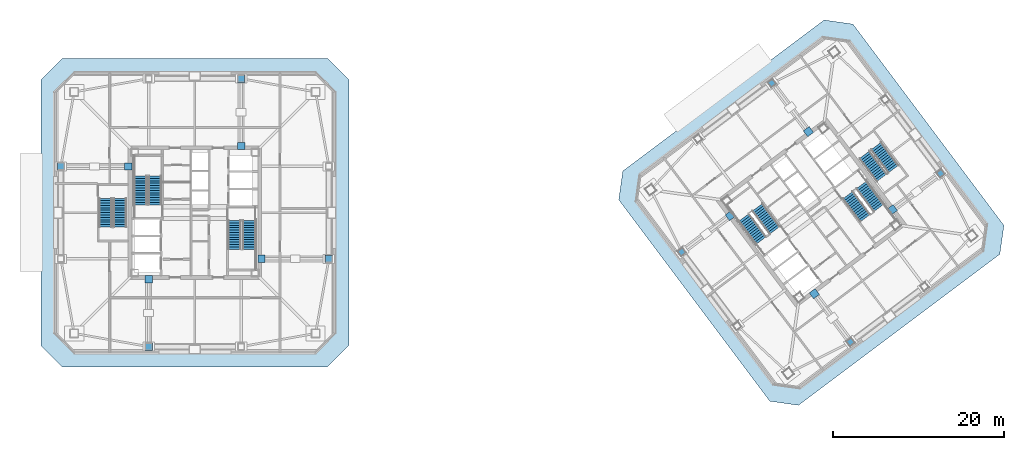
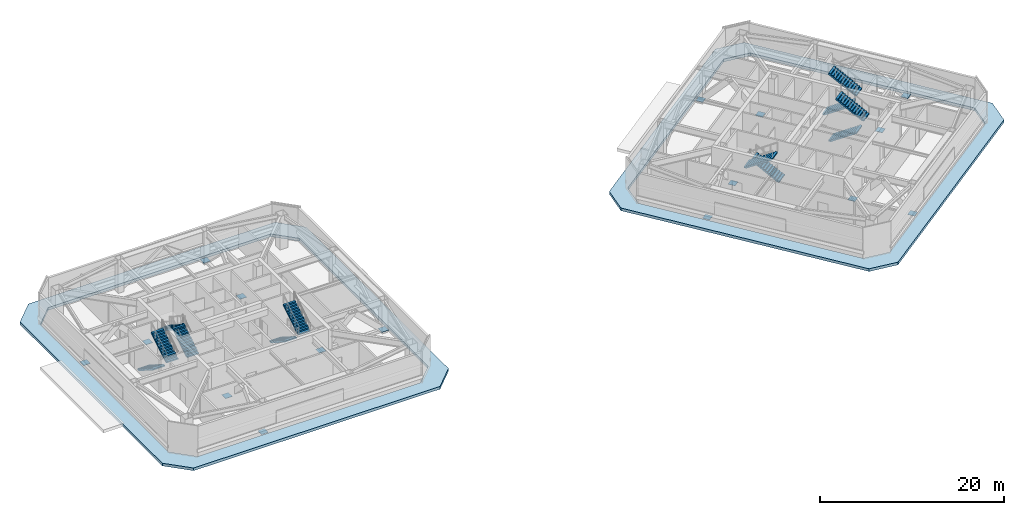
# One storey, part 9 of 15: 16 discrete accessories, 12 stair flights, 2 roofs, 6 elements without a shape of their own.
"""IFC4 building model written with IfcOpenShell, lengths in metres."""

from ifc_helpers import new_model, si_unit, direction, frame, origin, origin_2d, place, context, subcontext, project, spatial, polyline, rectangle, outline, extrude, material, layer, layer_set, type_object, element, aggregate, save


model = new_model("IFC4")

# Units and contexts
model_context = context("Model", 3, precision=1e-05, world=origin(), true_north=direction((0.0, 1.0)))
body_context = subcontext(model_context, "Body", "Model", "MODEL_VIEW")
ifc_project = project(units=[si_unit("LENGTHUNIT", "METRE"), si_unit("AREAUNIT", "SQUARE_METRE"), si_unit("VOLUMEUNIT", "CUBIC_METRE"), si_unit("PLANEANGLEUNIT", "RADIAN"), si_unit("MASSUNIT", "GRAM", prefix="KILO")], contexts=[model_context])

# Site, building, storey
site_placement = place(None, origin())
site = spatial("IfcSite", under=ifc_project, at=site_placement, CompositionType="ELEMENT")
building_placement = place(site_placement, origin())
building = spatial("IfcBuilding", under=site, at=building_placement, Name="Tashvorn Skyway Center", CompositionType="ELEMENT")
storey_placement = place(building_placement, frame((0.0, 0.0, 199.60009765625)))
storey = spatial("IfcBuildingStorey", under=building, at=storey_placement, Name="L54", CompositionType="ELEMENT", Elevation=199.60009765625)

# Stair, stair flights
ifc_material_1 = material(Name="Concrete C40/50", Category="concrete")
stair_type = type_object("IfcStairType", Name="STAIR-CORE-1500", PredefinedType="HALF_TURN_STAIR", material=ifc_material_1)
stair_1_placement = place(storey_placement, origin())
stair_1 = element("IfcStair", 1, at=stair_1_placement, inside=storey, type_object=stair_type, Name="L54 Tower 1 Exit Stair 1", PredefinedType="HALF_TURN_STAIR")
stair_flight_type = type_object("IfcStairFlightType", Name="SFLIGHT-1500", PredefinedType="STRAIGHT", material=ifc_material_1)
stair_flight_1_placement = place(storey_placement, frame((37.35009765625, 32.919921875, 0.0), z_axis=(0.0, 0.0, 1.0), x_axis=(0.0, 1.0, 0.0)))
stair_flight_1 = element("IfcStairFlight", 2, at=stair_flight_1_placement, type_object=stair_flight_type, Name="ST-T1-1 flight 1", NumberOfRisers=13, NumberOfTreads=12, PredefinedType="STRAIGHT", RiserHeight=0.176923077, TreadLength=0.28, context=body_context, shape_type="SweptSolid", body=[
    extrude(outline(polyline([(0.0, 0.0), (0.0, 0.177001953125), (0.280029296875, 0.177001953125), (0.280029296875, 0.353759765625), (0.56005859375, 0.353759765625), (0.56005859375, 0.53076171875), (0.840087890625, 0.53076171875), (0.840087890625, 0.707763671875), (1.1201171875, 0.707763671875), (1.1201171875, 0.884521484375), (1.39990234375, 0.884521484375), (1.39990234375, 1.0615234375), (1.679931640625, 1.0615234375), (1.679931640625, 1.238525390625), (1.9599609375, 1.238525390625), (1.9599609375, 1.415283203125), (2.239990234375, 1.415283203125), (2.239990234375, 1.59228515625), (2.52001953125, 1.59228515625), (2.52001953125, 1.769287109375), (2.800048828125, 1.769287109375), (2.800048828125, 1.946044921875), (3.080078125, 1.946044921875), (3.080078125, 2.123046875), (3.360107421875, 2.123046875), (3.360107421875, 2.300048828125), (3.360107421875, 1.94580078125), (0.280517578125, 0.0), (0.0, 0.0)])), frame((0.0, 0.75, 0.0), z_axis=(0.0, -1.0, 0.0), x_axis=(1.0, 0.0, 0.0)), (0.0, 0.0, 1.0), 1.5),
])
stair_flight_2_placement = place(storey_placement, frame((35.64990234375, 36.280029296875, 2.2998046875), z_axis=(0.0, 0.0, 1.0), x_axis=(0.0, -1.0, 0.0)))
stair_flight_2 = element("IfcStairFlight", 3, at=stair_flight_2_placement, type_object=stair_flight_type, Name="ST-T1-1 flight 2", NumberOfRisers=13, NumberOfTreads=12, PredefinedType="STRAIGHT", RiserHeight=0.176923077, TreadLength=0.28, context=body_context, shape_type="SweptSolid", body=[
    extrude(outline(polyline([(0.0, 0.0), (0.0, 0.177001953125), (0.280029296875, 0.177001953125), (0.280029296875, 0.353759765625), (0.56005859375, 0.353759765625), (0.56005859375, 0.53076171875), (0.840087890625, 0.53076171875), (0.840087890625, 0.707763671875), (1.1201171875, 0.707763671875), (1.1201171875, 0.884521484375), (1.39990234375, 0.884521484375), (1.39990234375, 1.0615234375), (1.679931640625, 1.0615234375), (1.679931640625, 1.238525390625), (1.9599609375, 1.238525390625), (1.9599609375, 1.415283203125), (2.239990234375, 1.415283203125), (2.239990234375, 1.59228515625), (2.52001953125, 1.59228515625), (2.52001953125, 1.769287109375), (2.800048828125, 1.769287109375), (2.800048828125, 1.946044921875), (3.080078125, 1.946044921875), (3.080078125, 2.123046875), (3.360107421875, 2.123046875), (3.360107421875, 2.300048828125), (3.360107421875, 1.94580078125), (0.280517578125, 0.0), (0.0, 0.0)])), frame((0.0, 0.75, 0.0), z_axis=(0.0, -1.0, 0.0), x_axis=(1.0, 0.0, 0.0)), (0.0, 0.0, 1.0), 1.5),
])
aggregate(stair_1, [stair_flight_1, stair_flight_2])

stair_2_placement = place(storey_placement, origin())
stair_2 = element("IfcStair", 4, at=stair_2_placement, inside=storey, type_object=stair_type, Name="L54 Tower 1 Exit Stair 2", PredefinedType="HALF_TURN_STAIR")
stair_flight_3_placement = place(storey_placement, frame((46.64990234375, 31.080078125, 0.0), z_axis=(0.0, 0.0, 1.0), x_axis=(0.0, -1.0, 0.0)))
stair_flight_3 = element("IfcStairFlight", 5, at=stair_flight_3_placement, type_object=stair_flight_type, Name="ST-T1-2 flight 1", NumberOfRisers=13, NumberOfTreads=12, PredefinedType="STRAIGHT", RiserHeight=0.176923077, TreadLength=0.28, context=body_context, shape_type="SweptSolid", body=[
    extrude(outline(polyline([(0.0, 0.0), (0.0, 0.177001953125), (0.280029296875, 0.177001953125), (0.280029296875, 0.353759765625), (0.56005859375, 0.353759765625), (0.56005859375, 0.53076171875), (0.840087890625, 0.53076171875), (0.840087890625, 0.707763671875), (1.1201171875, 0.707763671875), (1.1201171875, 0.884521484375), (1.39990234375, 0.884521484375), (1.39990234375, 1.0615234375), (1.679931640625, 1.0615234375), (1.679931640625, 1.238525390625), (1.9599609375, 1.238525390625), (1.9599609375, 1.415283203125), (2.239990234375, 1.415283203125), (2.239990234375, 1.59228515625), (2.52001953125, 1.59228515625), (2.52001953125, 1.769287109375), (2.800048828125, 1.769287109375), (2.800048828125, 1.946044921875), (3.080078125, 1.946044921875), (3.080078125, 2.123046875), (3.360107421875, 2.123046875), (3.360107421875, 2.300048828125), (3.360107421875, 1.94580078125), (0.280517578125, 0.0), (0.0, 0.0)])), frame((0.0, 0.75, 0.0), z_axis=(0.0, -1.0, 0.0), x_axis=(1.0, 0.0, 0.0)), (0.0, 0.0, 1.0), 1.5),
])
stair_flight_4_placement = place(storey_placement, frame((48.35009765625, 27.719970703125, 2.2998046875), z_axis=(0.0, 0.0, 1.0), x_axis=(0.0, 1.0, 0.0)))
stair_flight_4 = element("IfcStairFlight", 6, at=stair_flight_4_placement, type_object=stair_flight_type, Name="ST-T1-2 flight 2", NumberOfRisers=13, NumberOfTreads=12, PredefinedType="STRAIGHT", RiserHeight=0.176923077, TreadLength=0.28, context=body_context, shape_type="SweptSolid", body=[
    extrude(outline(polyline([(0.0, 0.0), (0.0, 0.177001953125), (0.280029296875, 0.177001953125), (0.280029296875, 0.353759765625), (0.56005859375, 0.353759765625), (0.56005859375, 0.53076171875), (0.840087890625, 0.53076171875), (0.840087890625, 0.707763671875), (1.1201171875, 0.707763671875), (1.1201171875, 0.884521484375), (1.39990234375, 0.884521484375), (1.39990234375, 1.0615234375), (1.679931640625, 1.0615234375), (1.679931640625, 1.238525390625), (1.9599609375, 1.238525390625), (1.9599609375, 1.415283203125), (2.239990234375, 1.415283203125), (2.239990234375, 1.59228515625), (2.52001953125, 1.59228515625), (2.52001953125, 1.769287109375), (2.800048828125, 1.769287109375), (2.800048828125, 1.946044921875), (3.080078125, 1.946044921875), (3.080078125, 2.123046875), (3.360107421875, 2.123046875), (3.360107421875, 2.300048828125), (3.360107421875, 1.94580078125), (0.280517578125, 0.0), (0.0, 0.0)])), frame((0.0, 0.75, 0.0), z_axis=(0.0, -1.0, 0.0), x_axis=(1.0, 0.0, 0.0)), (0.0, 0.0, 1.0), 1.5),
])
aggregate(stair_2, [stair_flight_3, stair_flight_4])

stair_3_placement = place(storey_placement, origin())
stair_3 = element("IfcStair", 7, at=stair_3_placement, inside=storey, type_object=stair_type, Name="L54 Tower 2 Exit Stair 1", PredefinedType="HALF_TURN_STAIR")
stair_flight_5_placement = place(storey_placement, frame((109.72802734375, 29.946044921875, 0.0), z_axis=(0.0, 0.0, 1.0), x_axis=(-0.600000004945, 0.799999996291, 0.0)))
stair_flight_5 = element("IfcStairFlight", 8, at=stair_flight_5_placement, type_object=stair_flight_type, Name="ST-T2-1 flight 1", NumberOfRisers=13, NumberOfTreads=12, PredefinedType="STRAIGHT", RiserHeight=0.176923077, TreadLength=0.28, context=body_context, shape_type="SweptSolid", body=[
    extrude(outline(polyline([(0.0, 0.0), (0.0, 0.177001953125), (0.280029296875, 0.177001953125), (0.280029296875, 0.353759765625), (0.56005859375, 0.353759765625), (0.56005859375, 0.53076171875), (0.840087890625, 0.53076171875), (0.840087890625, 0.707763671875), (1.1201171875, 0.707763671875), (1.1201171875, 0.884521484375), (1.39990234375, 0.884521484375), (1.39990234375, 1.0615234375), (1.679931640625, 1.0615234375), (1.679931640625, 1.238525390625), (1.9599609375, 1.238525390625), (1.9599609375, 1.415283203125), (2.239990234375, 1.415283203125), (2.239990234375, 1.59228515625), (2.52001953125, 1.59228515625), (2.52001953125, 1.769287109375), (2.800048828125, 1.769287109375), (2.800048828125, 1.946044921875), (3.080078125, 1.946044921875), (3.080078125, 2.123046875), (3.360107421875, 2.123046875), (3.360107421875, 2.300048828125), (3.360107421875, 1.94580078125), (0.280517578125, 0.0), (0.0, 0.0)])), frame((0.0, 0.75, 0.0), z_axis=(0.0, -1.0, 0.0), x_axis=(1.0, 0.0, 0.0)), (0.0, 0.0, 1.0), 1.5),
])
stair_flight_6_placement = place(storey_placement, frame((106.1279296875, 31.446044921875, 2.2998046875), z_axis=(0.0, 0.0, 1.0), x_axis=(0.600000004945, -0.799999996291, 0.0)))
stair_flight_6 = element("IfcStairFlight", 9, at=stair_flight_6_placement, type_object=stair_flight_type, Name="ST-T2-1 flight 2", NumberOfRisers=13, NumberOfTreads=12, PredefinedType="STRAIGHT", RiserHeight=0.176923077, TreadLength=0.28, context=body_context, shape_type="SweptSolid", body=[
    extrude(outline(polyline([(0.0, 0.0), (0.0, 0.177001953125), (0.280029296875, 0.177001953125), (0.280029296875, 0.353759765625), (0.56005859375, 0.353759765625), (0.56005859375, 0.53076171875), (0.840087890625, 0.53076171875), (0.840087890625, 0.707763671875), (1.1201171875, 0.707763671875), (1.1201171875, 0.884521484375), (1.39990234375, 0.884521484375), (1.39990234375, 1.0615234375), (1.679931640625, 1.0615234375), (1.679931640625, 1.238525390625), (1.9599609375, 1.238525390625), (1.9599609375, 1.415283203125), (2.239990234375, 1.415283203125), (2.239990234375, 1.59228515625), (2.52001953125, 1.59228515625), (2.52001953125, 1.769287109375), (2.800048828125, 1.769287109375), (2.800048828125, 1.946044921875), (3.080078125, 1.946044921875), (3.080078125, 2.123046875), (3.360107421875, 2.123046875), (3.360107421875, 2.300048828125), (3.360107421875, 1.94580078125), (0.280517578125, 0.0), (0.0, 0.0)])), frame((0.0, 0.75, 0.0), z_axis=(0.0, -1.0, 0.0), x_axis=(1.0, 0.0, 0.0)), (0.0, 0.0, 1.0), 1.5),
])
aggregate(stair_3, [stair_flight_5, stair_flight_6])

stair_4_placement = place(storey_placement, origin())
stair_4 = element("IfcStair", 10, at=stair_4_placement, inside=storey, type_object=stair_type, Name="L54 Tower 2 Exit Stair 2", PredefinedType="HALF_TURN_STAIR")
stair_flight_7_placement = place(storey_placement, frame((118.27197265625, 34.053955078125, 0.0), z_axis=(0.0, 0.0, 1.0), x_axis=(0.600000004945, -0.799999996291, 0.0)))
stair_flight_7 = element("IfcStairFlight", 11, at=stair_flight_7_placement, type_object=stair_flight_type, Name="ST-T2-2 flight 1", NumberOfRisers=13, NumberOfTreads=12, PredefinedType="STRAIGHT", RiserHeight=0.176923077, TreadLength=0.28, context=body_context, shape_type="SweptSolid", body=[
    extrude(outline(polyline([(0.0, 0.0), (0.0, 0.177001953125), (0.280029296875, 0.177001953125), (0.280029296875, 0.353759765625), (0.56005859375, 0.353759765625), (0.56005859375, 0.53076171875), (0.840087890625, 0.53076171875), (0.840087890625, 0.707763671875), (1.1201171875, 0.707763671875), (1.1201171875, 0.884521484375), (1.39990234375, 0.884521484375), (1.39990234375, 1.0615234375), (1.679931640625, 1.0615234375), (1.679931640625, 1.238525390625), (1.9599609375, 1.238525390625), (1.9599609375, 1.415283203125), (2.239990234375, 1.415283203125), (2.239990234375, 1.59228515625), (2.52001953125, 1.59228515625), (2.52001953125, 1.769287109375), (2.800048828125, 1.769287109375), (2.800048828125, 1.946044921875), (3.080078125, 1.946044921875), (3.080078125, 2.123046875), (3.360107421875, 2.123046875), (3.360107421875, 2.300048828125), (3.360107421875, 1.94580078125), (0.280517578125, 0.0), (0.0, 0.0)])), frame((0.0, 0.75, 0.0), z_axis=(0.0, -1.0, 0.0), x_axis=(1.0, 0.0, 0.0)), (0.0, 0.0, 1.0), 1.5),
])
stair_flight_8_placement = place(storey_placement, frame((121.8720703125, 32.553955078125, 2.2998046875), z_axis=(0.0, 0.0, 1.0), x_axis=(-0.600000004945, 0.799999996291, 0.0)))
stair_flight_8 = element("IfcStairFlight", 12, at=stair_flight_8_placement, type_object=stair_flight_type, Name="ST-T2-2 flight 2", NumberOfRisers=13, NumberOfTreads=12, PredefinedType="STRAIGHT", RiserHeight=0.176923077, TreadLength=0.28, context=body_context, shape_type="SweptSolid", body=[
    extrude(outline(polyline([(0.0, 0.0), (0.0, 0.177001953125), (0.280029296875, 0.177001953125), (0.280029296875, 0.353759765625), (0.56005859375, 0.353759765625), (0.56005859375, 0.53076171875), (0.840087890625, 0.53076171875), (0.840087890625, 0.707763671875), (1.1201171875, 0.707763671875), (1.1201171875, 0.884521484375), (1.39990234375, 0.884521484375), (1.39990234375, 1.0615234375), (1.679931640625, 1.0615234375), (1.679931640625, 1.238525390625), (1.9599609375, 1.238525390625), (1.9599609375, 1.415283203125), (2.239990234375, 1.415283203125), (2.239990234375, 1.59228515625), (2.52001953125, 1.59228515625), (2.52001953125, 1.769287109375), (2.800048828125, 1.769287109375), (2.800048828125, 1.946044921875), (3.080078125, 1.946044921875), (3.080078125, 2.123046875), (3.360107421875, 2.123046875), (3.360107421875, 2.300048828125), (3.360107421875, 1.94580078125), (0.280517578125, 0.0), (0.0, 0.0)])), frame((0.0, 0.75, 0.0), z_axis=(0.0, -1.0, 0.0), x_axis=(1.0, 0.0, 0.0)), (0.0, 0.0, 1.0), 1.5),
])
aggregate(stair_4, [stair_flight_7, stair_flight_8])

stair_5_placement = place(storey_placement, origin())
stair_5 = element("IfcStair", 13, at=stair_5_placement, inside=storey, type_object=stair_type, Name="L54 Tower 1 Exit Stair 3", PredefinedType="HALF_TURN_STAIR")
stair_flight_9_placement = place(storey_placement, frame((31.550048828125, 33.679931640625, 0.0), z_axis=(0.0, 0.0, 1.0), x_axis=(0.0, -1.0, 0.0)))
stair_flight_9 = element("IfcStairFlight", 14, at=stair_flight_9_placement, type_object=stair_flight_type, Name="ST-T1-3 flight 1", NumberOfRisers=13, NumberOfTreads=12, PredefinedType="STRAIGHT", RiserHeight=0.176923077, TreadLength=0.28, context=body_context, shape_type="SweptSolid", body=[
    extrude(outline(polyline([(0.0, 0.0), (0.0, 0.177001953125), (0.280029296875, 0.177001953125), (0.280029296875, 0.353759765625), (0.56005859375, 0.353759765625), (0.56005859375, 0.53076171875), (0.840087890625, 0.53076171875), (0.840087890625, 0.707763671875), (1.1201171875, 0.707763671875), (1.1201171875, 0.884521484375), (1.39990234375, 0.884521484375), (1.39990234375, 1.0615234375), (1.679931640625, 1.0615234375), (1.679931640625, 1.238525390625), (1.9599609375, 1.238525390625), (1.9599609375, 1.415283203125), (2.239990234375, 1.415283203125), (2.239990234375, 1.59228515625), (2.52001953125, 1.59228515625), (2.52001953125, 1.769287109375), (2.800048828125, 1.769287109375), (2.800048828125, 1.946044921875), (3.080078125, 1.946044921875), (3.080078125, 2.123046875), (3.360107421875, 2.123046875), (3.360107421875, 2.300048828125), (3.360107421875, 1.94580078125), (0.280517578125, 0.0), (0.0, 0.0)])), frame((0.0, 0.75, 0.0), z_axis=(0.0, -1.0, 0.0), x_axis=(1.0, 0.0, 0.0)), (0.0, 0.0, 1.0), 1.5),
])
stair_flight_10_placement = place(storey_placement, frame((33.25, 30.320068359375, 2.2998046875), z_axis=(0.0, 0.0, 1.0), x_axis=(0.0, 1.0, 0.0)))
stair_flight_10 = element("IfcStairFlight", 15, at=stair_flight_10_placement, type_object=stair_flight_type, Name="ST-T1-3 flight 2", NumberOfRisers=13, NumberOfTreads=12, PredefinedType="STRAIGHT", RiserHeight=0.176923077, TreadLength=0.28, context=body_context, shape_type="SweptSolid", body=[
    extrude(outline(polyline([(0.0, 0.0), (0.0, 0.177001953125), (0.280029296875, 0.177001953125), (0.280029296875, 0.353759765625), (0.56005859375, 0.353759765625), (0.56005859375, 0.53076171875), (0.840087890625, 0.53076171875), (0.840087890625, 0.707763671875), (1.1201171875, 0.707763671875), (1.1201171875, 0.884521484375), (1.39990234375, 0.884521484375), (1.39990234375, 1.0615234375), (1.679931640625, 1.0615234375), (1.679931640625, 1.238525390625), (1.9599609375, 1.238525390625), (1.9599609375, 1.415283203125), (2.239990234375, 1.415283203125), (2.239990234375, 1.59228515625), (2.52001953125, 1.59228515625), (2.52001953125, 1.769287109375), (2.800048828125, 1.769287109375), (2.800048828125, 1.946044921875), (3.080078125, 1.946044921875), (3.080078125, 2.123046875), (3.360107421875, 2.123046875), (3.360107421875, 2.300048828125), (3.360107421875, 1.94580078125), (0.280517578125, 0.0), (0.0, 0.0)])), frame((0.0, 0.75, 0.0), z_axis=(0.0, -1.0, 0.0), x_axis=(1.0, 0.0, 0.0)), (0.0, 0.0, 1.0), 1.5),
])
aggregate(stair_5, [stair_flight_9, stair_flight_10])

stair_6_placement = place(storey_placement, origin())
stair_6 = element("IfcStair", 16, at=stair_6_placement, inside=storey, type_object=stair_type, Name="L54 Tower 2 Exit Stair 3", PredefinedType="HALF_TURN_STAIR")
stair_flight_11_placement = place(storey_placement, frame((120.216064453125, 38.761962890625, 0.0), z_axis=(0.0, 0.0, 1.0), x_axis=(0.600000004945, -0.799999996291, 0.0)))
stair_flight_11 = element("IfcStairFlight", 17, at=stair_flight_11_placement, type_object=stair_flight_type, Name="ST-T2-3 flight 1", NumberOfRisers=13, NumberOfTreads=12, PredefinedType="STRAIGHT", RiserHeight=0.176923077, TreadLength=0.28, context=body_context, shape_type="SweptSolid", body=[
    extrude(outline(polyline([(0.0, 0.0), (0.0, 0.177001953125), (0.280029296875, 0.177001953125), (0.280029296875, 0.353759765625), (0.56005859375, 0.353759765625), (0.56005859375, 0.53076171875), (0.840087890625, 0.53076171875), (0.840087890625, 0.707763671875), (1.1201171875, 0.707763671875), (1.1201171875, 0.884521484375), (1.39990234375, 0.884521484375), (1.39990234375, 1.0615234375), (1.679931640625, 1.0615234375), (1.679931640625, 1.238525390625), (1.9599609375, 1.238525390625), (1.9599609375, 1.415283203125), (2.239990234375, 1.415283203125), (2.239990234375, 1.59228515625), (2.52001953125, 1.59228515625), (2.52001953125, 1.769287109375), (2.800048828125, 1.769287109375), (2.800048828125, 1.946044921875), (3.080078125, 1.946044921875), (3.080078125, 2.123046875), (3.360107421875, 2.123046875), (3.360107421875, 2.300048828125), (3.360107421875, 1.94580078125), (0.280517578125, 0.0), (0.0, 0.0)])), frame((0.0, 0.75, 0.0), z_axis=(0.0, -1.0, 0.0), x_axis=(1.0, 0.0, 0.0)), (0.0, 0.0, 1.0), 1.5),
])
stair_flight_12_placement = place(storey_placement, frame((123.592041015625, 37.093994140625, 2.2998046875), z_axis=(0.0, 0.0, 1.0), x_axis=(-0.600000004945, 0.799999996291, 0.0)))
stair_flight_12 = element("IfcStairFlight", 18, at=stair_flight_12_placement, type_object=stair_flight_type, Name="ST-T2-3 flight 2", NumberOfRisers=13, NumberOfTreads=12, PredefinedType="STRAIGHT", RiserHeight=0.176923077, TreadLength=0.28, context=body_context, shape_type="SweptSolid", body=[
    extrude(outline(polyline([(0.0, 0.0), (0.0, 0.177001953125), (0.280029296875, 0.177001953125), (0.280029296875, 0.353759765625), (0.56005859375, 0.353759765625), (0.56005859375, 0.53076171875), (0.840087890625, 0.53076171875), (0.840087890625, 0.707763671875), (1.1201171875, 0.707763671875), (1.1201171875, 0.884521484375), (1.39990234375, 0.884521484375), (1.39990234375, 1.0615234375), (1.679931640625, 1.0615234375), (1.679931640625, 1.238525390625), (1.9599609375, 1.238525390625), (1.9599609375, 1.415283203125), (2.239990234375, 1.415283203125), (2.239990234375, 1.59228515625), (2.52001953125, 1.59228515625), (2.52001953125, 1.769287109375), (2.800048828125, 1.769287109375), (2.800048828125, 1.946044921875), (3.080078125, 1.946044921875), (3.080078125, 2.123046875), (3.360107421875, 2.123046875), (3.360107421875, 2.300048828125), (3.360107421875, 1.94580078125), (0.280517578125, 0.0), (0.0, 0.0)])), frame((0.0, 0.75, 0.0), z_axis=(0.0, -1.0, 0.0), x_axis=(1.0, 0.0, 0.0)), (0.0, 0.0, 1.0), 1.5),
])
aggregate(stair_6, [stair_flight_11, stair_flight_12])

# Roofs
ifc_material_2 = material(Name="Architectural glazed Mojave terracotta roof and cornice system", Category="masonry")
ifc_layer = layer(ifc_material_2, 0.360107421875)
ifc_layer_set = layer_set([ifc_layer], Name="Architectural glazed Mojave terracotta roof and cornice system")
roof_type = type_object("IfcRoofType", Name="ROOF-PM-CORNICE", PredefinedType="GABLE_ROOF", material=ifc_layer_set)
roof_1_placement = place(storey_placement, origin())
element("IfcRoof", 19, at=roof_1_placement, inside=storey, type_object=roof_type, Name="Tower 1 L54 Postmodern Setback Terracotta Cornice", PredefinedType="GABLE_ROOF", context=body_context, shape_type="SweptSolid", body=[
    extrude(outline(polyline([(26.5, 14.0), (57.5, 14.0), (60.0, 16.5), (60.0, 47.5), (57.5, 50.0), (26.5, 50.0), (24.0, 47.5), (24.0, 16.5), (26.5, 14.0)]), holes=[polyline([(28.0, 15.699951171875), (56.0, 15.699951171875), (58.300048828125, 18.0), (58.300048828125, 46.0), (56.0, 48.300048828125), (28.0, 48.300048828125), (25.699951171875, 46.0), (25.699951171875, 18.0), (28.0, 15.699951171875)])]), origin(), (0.0, 0.0, 1.0), 0.35986328125),
])
roof_2_placement = place(storey_placement, origin())
element("IfcRoof", 20, at=roof_2_placement, inside=storey, type_object=roof_type, Name="Tower 2 L54 Postmodern Setback Terracotta Cornice", PredefinedType="GABLE_ROOF", context=body_context, shape_type="SweptSolid", body=[
    extrude(outline(polyline([(112.5, 9.5), (136.02001953125, 27.139892578125), (136.5, 30.5), (118.860107421875, 54.02001953125), (115.5, 54.5), (91.97998046875, 36.860107421875), (91.5, 33.5), (109.139892578125, 9.97998046875), (112.5, 9.5)]), holes=[polyline([(112.659912109375, 11.6201171875), (133.93994140625, 27.580078125), (134.3798828125, 30.659912109375), (118.419921875, 51.93994140625), (115.340087890625, 52.3798828125), (94.06005859375, 36.419921875), (93.6201171875, 33.340087890625), (109.580078125, 12.06005859375), (112.659912109375, 11.6201171875)])]), origin(), (0.0, 0.0, 1.0), 0.35986328125),
])

# Discrete accessories
ifc_material_3 = material(Name="Steel ASTM A572 Grade 50", Category="steel")
discrete_accessory_type = type_object("IfcDiscreteAccessoryType", Name="ACC-EMBED-45", PredefinedType="USERDEFINED", material=ifc_material_3)
for number, where, z_axis, x_axis, name in (
    (21, (47.39990234375, 39.780029296875, 0.2275390625), (0.0, 0.0, 1.0), (1.0, 0.0, 0.0), "Tower 1 L54 Core Wall Cast-In Steel Embed Plate N1"),
    (22, (47.39990234375, 47.64990234375, 0.2275390625), (0.0, 0.0, 1.0), (1.0, 0.0, 0.0), "Tower 1 L54 Outrigger Perimeter Connection Plate N1"),
    (23, (36.60009765625, 24.219970703125, 0.2275390625), (0.0, 0.0, 1.0), (1.0, 0.0, 0.0), "Tower 1 L54 Core Wall Cast-In Steel Embed Plate S1"),
    (24, (36.60009765625, 16.35009765625, 0.2275390625), (0.0, 0.0, 1.0), (1.0, 0.0, 0.0), "Tower 1 L54 Outrigger Perimeter Connection Plate S1"),
    (25, (49.780029296875, 26.60009765625, 0.2275390625), (0.0, 0.0, 1.0), (1.0, 0.0, 0.0), "Tower 1 L54 Core Wall Cast-In Steel Embed Plate E1"),
    (26, (57.64990234375, 26.60009765625, 0.2275390625), (0.0, 0.0, 1.0), (1.0, 0.0, 0.0), "Tower 1 L54 Outrigger Perimeter Connection Plate E1"),
    (27, (34.219970703125, 37.39990234375, 0.2275390625), (0.0, 0.0, 1.0), (1.0, 0.0, 0.0), "Tower 1 L54 Core Wall Cast-In Steel Embed Plate W1"),
    (28, (26.35009765625, 37.39990234375, 0.2275390625), (0.0, 0.0, 1.0), (1.0, 0.0, 0.0), "Tower 1 L54 Outrigger Perimeter Connection Plate W1"),
    (29, (113.652099609375, 41.464111328125, 0.2275390625), (0.0, 0.0, 1.0), (0.799999996291, 0.600000004945, 0.0), "Tower 2 L54 Core Wall Cast-In Steel Embed Plate N1"),
    (30, (109.409912109375, 47.1201171875, 0.2275390625), (0.0, 0.0, 1.0), (0.799999996291, 0.600000004945, 0.0), "Tower 2 L54 Outrigger Perimeter Connection Plate N1"),
    (31, (114.347900390625, 22.535888671875, 0.2275390625), (0.0, 0.0, 1.0), (0.799999996291, 0.600000004945, 0.0), "Tower 2 L54 Core Wall Cast-In Steel Embed Plate S1"),
    (32, (118.590087890625, 16.8798828125, 0.2275390625), (0.0, 0.0, 1.0), (0.799999996291, 0.600000004945, 0.0), "Tower 2 L54 Outrigger Perimeter Connection Plate S1"),
    (33, (123.464111328125, 32.347900390625, 0.2275390625), (0.0, 0.0, 1.0), (0.799999996291, 0.600000004945, 0.0), "Tower 2 L54 Core Wall Cast-In Steel Embed Plate E1"),
    (34, (129.1201171875, 36.590087890625, 0.2275390625), (0.0, 0.0, 1.0), (0.799999996291, 0.600000004945, 0.0), "Tower 2 L54 Outrigger Perimeter Connection Plate E1"),
    (35, (104.535888671875, 31.652099609375, 0.2275390625), (0.0, 0.0, 1.0), (0.799999996291, 0.600000004945, 0.0), "Tower 2 L54 Core Wall Cast-In Steel Embed Plate W1"),
    (36, (98.8798828125, 27.409912109375, 0.2275390625), (0.0, 0.0, 1.0), (0.799999996291, 0.600000004945, 0.0), "Tower 2 L54 Outrigger Perimeter Connection Plate W1"),
):
    element("IfcDiscreteAccessory", number, at=place(storey_placement, frame(where, z_axis=z_axis, x_axis=x_axis)), inside=storey, type_object=discrete_accessory_type, Name=name, ObjectType="EMBED PLATE", PredefinedType="USERDEFINED", context=body_context, shape_type="SweptSolid", body=[
        extrude(rectangle(XDim=0.85009765625, YDim=0.85009765625, at=origin_2d()), origin(), (0.0, 0.0, 1.0), 0.044921875),
    ])

save(model, "model.ifc")
